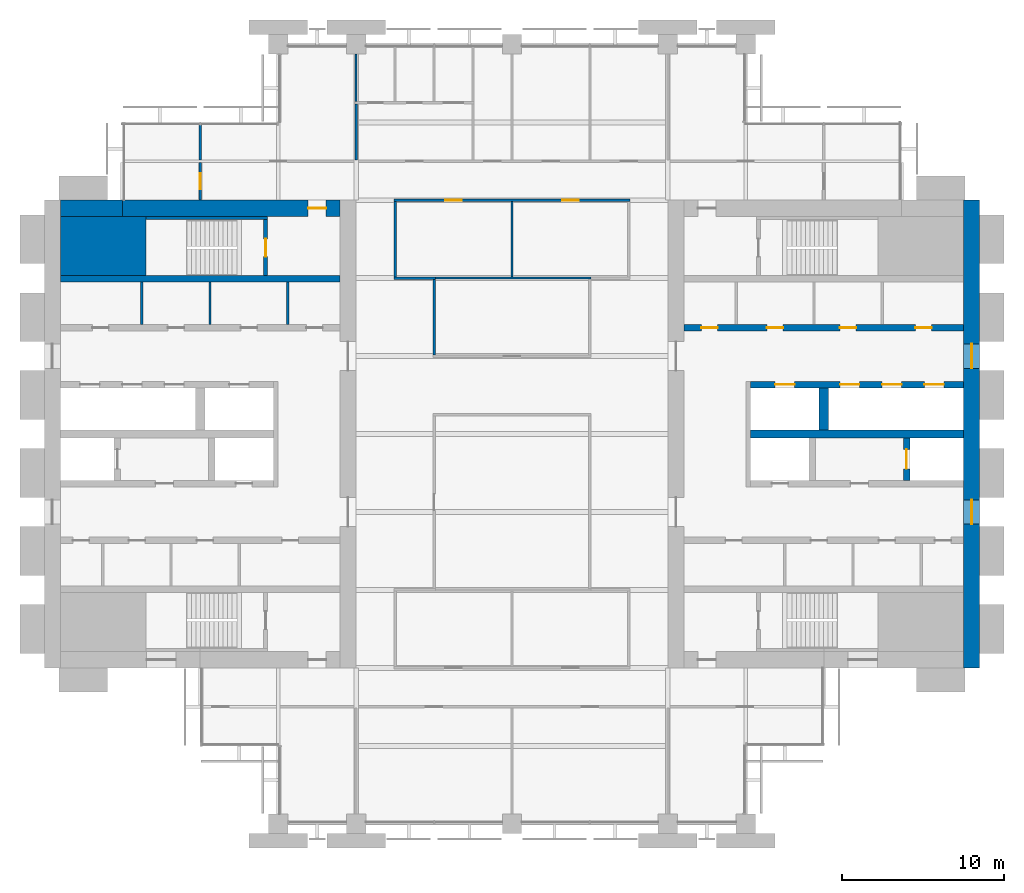
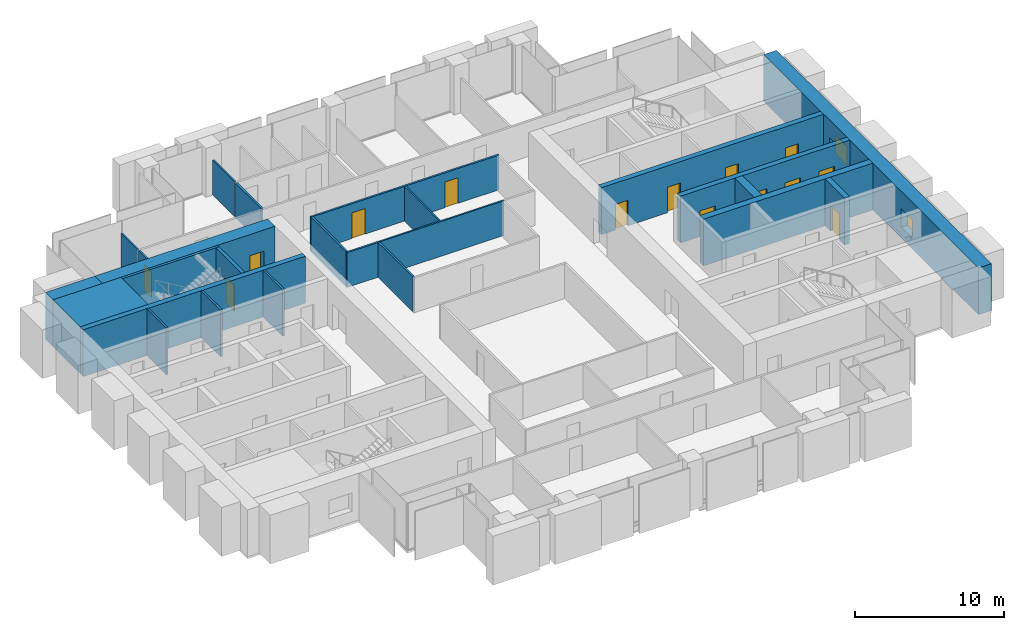
# One storey, part 11 of 14: 25 walls, 14 doors, 2 windows, 16 openings.
"""IFC4 building model written with IfcOpenShell, lengths in metres."""

from ifc_helpers import new_model, si_unit, direction, frame, frame_2d, origin, place, context, subcontext, project, spatial, rectangle, extrude, material, layer, layer_set, type_object, element, fill, save


model = new_model("IFC4")

# Units and contexts
model_context = context("Model", 3, precision=1e-05, world=origin(), true_north=direction((0.0, 1.0)))
body_context = subcontext(model_context, "Body", "Model", "MODEL_VIEW")
ifc_project = project(units=[si_unit("LENGTHUNIT", "METRE"), si_unit("AREAUNIT", "SQUARE_METRE"), si_unit("VOLUMEUNIT", "CUBIC_METRE"), si_unit("PLANEANGLEUNIT", "RADIAN"), si_unit("MASSUNIT", "GRAM", prefix="KILO")], contexts=[model_context])

# Site, building, storey
site_placement = place(None, origin())
site = spatial("IfcSite", under=ifc_project, at=site_placement, CompositionType="ELEMENT")
building_placement = place(site_placement, origin())
building = spatial("IfcBuilding", under=site, at=building_placement, Name="Baori Bourse Tower", CompositionType="ELEMENT")
storey_placement = place(building_placement, frame((0.0, 0.0, 136.10009765625)))
storey = spatial("IfcBuildingStorey", under=building, at=storey_placement, Name="L29", CompositionType="ELEMENT", Elevation=136.10009765625)

# Walls
ifc_material_1 = material(Name="Concrete f'c 60 MPa", Category="concrete")
wall_type_1 = type_object("IfcWallType", Name="Core corner block f'c 60", PredefinedType="SHEAR", material=ifc_material_1)
wall_1_placement = place(storey_placement, frame((1.0, 35.574951171875, 0.0), z_axis=(0.0, 0.0, 1.0), x_axis=(1.0, 0.0, 0.0)))
element("IfcWall", 1, at=wall_1_placement, inside=storey, type_object=wall_type_1, Name="Core wall W26", PredefinedType="SHEAR", context=body_context, shape_type="SweptSolid", body=[
    extrude(rectangle(XDim=5.25, YDim=3.64990234375, at=frame_2d((2.625, 0.0))), origin(), (0.0, 0.0, 1.0), 3.83984375),
])
ifc_material_2 = material(Name="Blockwork partition", Category="masonry")
ifc_layer_1 = layer(ifc_material_2, 0.14990234375)
ifc_layer_set_1 = layer_set([ifc_layer_1], Name="Core partition 150")
wall_type_2 = type_object("IfcWallType", Name="Core partition 150", PredefinedType="PARTITIONING", material=ifc_layer_set_1)
for number, where, z_axis, x_axis, name in (
    (2, (6.0, 30.75, 0.0), (0.0, 0.0, 1.0), (0.0, 1.0, 0.0), "Partition wall W22"),
    (3, (10.199951171875, 30.75, 0.0), (0.0, 0.0, 1.0), (0.0, 1.0, 0.0), "Partition wall W23"),
    (4, (15.0, 30.75, 0.0), (0.0, 0.0, 1.0), (0.0, 1.0, 0.0), "Partition wall W24"),
):
    element("IfcWall", number, at=place(storey_placement, frame(where, z_axis=z_axis, x_axis=x_axis)), inside=storey, type_object=wall_type_2, Name=name, PredefinedType="PARTITIONING", context=body_context, shape_type="SweptSolid", body=[
        extrude(rectangle(XDim=2.60009765625, YDim=0.14990234375, at=frame_2d((1.300048828125, 0.0))), origin(), (0.0, 0.0, 1.0), 3.83984375),
    ])
ifc_material_3 = material(Name="Concrete f'c 60 MPa", Category="concrete")
ifc_layer_2 = layer(ifc_material_3, 1.0)
ifc_layer_set_2 = layer_set([ifc_layer_2], Name="Core wall 1000 f'c 60")
wall_type_3 = type_object("IfcWallType", Name="Core wall 1000 f'c 60", PredefinedType="SHEAR", material=ifc_layer_set_2)
wall_2_placement = place(storey_placement, frame((1.0, 37.89990234375, 0.0), z_axis=(0.0, 0.0, 1.0), x_axis=(1.0, 0.0, 0.0)))
element("IfcWall", 5, at=wall_2_placement, inside=storey, type_object=wall_type_3, Name="Core wall W29", PredefinedType="SHEAR", context=body_context, shape_type="SweptSolid", body=[
    extrude(rectangle(XDim=3.800048828125, YDim=1.0, at=frame_2d((1.89990234375, 0.0))), origin(), (0.0, 0.0, 1.0), 3.83984375),
])

# Wall, opening, door
wall_3_placement = place(storey_placement, frame((4.800048828125, 37.89990234375, 0.0), z_axis=(0.0, 0.0, 1.0), x_axis=(1.0, 0.0, 0.0)))
wall_3 = element("IfcWall", 6, at=wall_3_placement, inside=storey, type_object=wall_type_3, Name="Core wall W30", PredefinedType="SHEAR", context=body_context, shape_type="SweptSolid", body=[
    extrude(rectangle(XDim=13.39990234375, YDim=1.0, at=frame_2d((6.699951171875, 0.0))), origin(), (0.0, 0.0, 1.0), 3.83984375),
])
opening_1_placement = place(wall_3_placement, frame((11.449951171875, 0.0, 0.0)))
opening_1 = element("IfcOpeningElement", 7, at=opening_1_placement, cuts=wall_3, Name="Opening L29-D104", PredefinedType="OPENING", context=body_context, shape_type="SweptSolid", body=[
    extrude(rectangle(XDim=1.10009765625, YDim=2.10009765625, at=frame_2d((0.550048828125, 1.050048828125))), frame((0.0, 0.510009765625, 0.0), z_axis=(0.0, -1.0, 0.0), x_axis=(1.0, 0.0, 0.0)), (0.0, 0.0, 1.0), 1.02001953125),
])
ifc_material_4 = material(Name="Painted steel door", Category="steel")
door_type_1 = type_object("IfcDoorType", Name="Stair door 1100", OperationType="SINGLE_SWING_LEFT", PredefinedType="DOOR", material=ifc_material_4)
door_1_placement = place(opening_1_placement, origin())
door_1 = element("IfcDoor", 8, at=door_1_placement, inside=storey, type_object=door_type_1, Name="Stair vestibule door B W L29", OperationType="SINGLE_SWING_LEFT", OverallHeight=2.10009765625, OverallWidth=1.10009765625, PredefinedType="DOOR", context=body_context, shape_type="SweptSolid", body=[
    extrude(rectangle(XDim=1.10009765625, YDim=2.10009765625, at=frame_2d((0.550048828125, 1.050048828125))), frame((0.0, 0.02490234375, 0.0), z_axis=(0.0, -1.0, 0.0), x_axis=(1.0, 0.0, 0.0)), (0.0, 0.0, 1.0), 0.050048828125),
])
fill(opening_1, door_1)

# Wall, openings, windows
wall_4_placement = place(storey_placement, frame((57.10009765625, 38.39990234375, 0.0), z_axis=(0.0, 0.0, 1.0), x_axis=(0.0, -1.0, 0.0)))
wall_4 = element("IfcWall", 9, at=wall_4_placement, inside=storey, type_object=wall_type_3, Name="Core wall E01", PredefinedType="SHEAR", context=body_context, shape_type="SweptSolid", body=[
    extrude(rectangle(XDim=28.7998046875, YDim=1.0, at=frame_2d((14.39990234375, 0.0))), origin(), (0.0, 0.0, 1.0), 3.83984375),
])
opening_2_placement = place(wall_4_placement, frame((18.449951171875, 0.0, 0.89990234375)))
opening_2 = element("IfcOpeningElement", 10, at=opening_2_placement, cuts=wall_4, Name="Opening L29-KW201", PredefinedType="OPENING", context=body_context, shape_type="SweptSolid", body=[
    extrude(rectangle(XDim=1.5, YDim=1.5, at=frame_2d((0.75, 0.75))), frame((0.0, 0.510009765625, 0.0), z_axis=(0.0, -1.0, 0.0), x_axis=(1.0, 0.0, 0.0)), (0.0, 0.0, 1.0), 1.02001953125),
])
opening_3_placement = place(wall_4_placement, frame((8.85009765625, 0.0, 0.89990234375)))
opening_3 = element("IfcOpeningElement", 11, at=opening_3_placement, cuts=wall_4, Name="Opening L29-KW202", PredefinedType="OPENING", context=body_context, shape_type="SweptSolid", body=[
    extrude(rectangle(XDim=1.5, YDim=1.5, at=frame_2d((0.75, 0.75))), frame((0.0, 0.510009765625, 0.0), z_axis=(0.0, -1.0, 0.0), x_axis=(1.0, 0.0, 0.0)), (0.0, 0.0, 1.0), 1.02001953125),
])
ifc_material_5 = material(Name="Pale anodised aluminium", Category="aluminium")
window_type = type_object("IfcWindowType", Name="Lobby window 1500 x 1500", PartitioningType="SINGLE_PANEL", PredefinedType="WINDOW", material=ifc_material_5)
window_1_placement = place(opening_2_placement, origin())
window_1 = element("IfcWindow", 12, at=window_1_placement, inside=storey, type_object=window_type, Name="Outer wall window E L29 1", OverallHeight=1.5, OverallWidth=1.5, PartitioningType="SINGLE_PANEL", PredefinedType="WINDOW", context=body_context, shape_type="SweptSolid", body=[
    extrude(rectangle(XDim=1.5, YDim=1.5, at=frame_2d((0.75, 0.75))), frame((0.0, 0.030029296875, 0.0), z_axis=(0.0, -1.0, 0.0), x_axis=(1.0, 0.0, 0.0)), (0.0, 0.0, 1.0), 0.06005859375),
])
fill(opening_2, window_1)
window_2_placement = place(opening_3_placement, origin())
window_2 = element("IfcWindow", 13, at=window_2_placement, inside=storey, type_object=window_type, Name="Outer wall window E L29 2", OverallHeight=1.5, OverallWidth=1.5, PartitioningType="SINGLE_PANEL", PredefinedType="WINDOW", context=body_context, shape_type="SweptSolid", body=[
    extrude(rectangle(XDim=1.5, YDim=1.5, at=frame_2d((0.75, 0.75))), frame((0.0, 0.030029296875, 0.0), z_axis=(0.0, -1.0, 0.0), x_axis=(1.0, 0.0, 0.0)), (0.0, 0.0, 1.0), 0.06005859375),
])
fill(opening_3, window_2)

# Wall
ifc_material_6 = material(Name="Gypsum board partition")
ifc_layer_3 = layer(ifc_material_6, 0.14990234375)
ifc_layer_set_3 = layer_set([ifc_layer_3], Name="Corridor partition 150")
wall_type_4 = type_object("IfcWallType", Name="Corridor partition 150", PredefinedType="PARTITIONING", material=ifc_layer_set_3)
wall_5_placement = place(storey_placement, frame((21.52490234375, 33.60009765625, 0.0), z_axis=(0.0, 0.0, 1.0), x_axis=(1.0, 0.0, 0.0)))
element("IfcWall", 14, at=wall_5_placement, inside=storey, type_object=wall_type_4, Name="Partition", PredefinedType="PARTITIONING", context=body_context, shape_type="SweptSolid", body=[
    extrude(rectangle(XDim=2.550048828125, YDim=0.14990234375, at=frame_2d((1.27490234375, 0.0))), origin(), (0.0, 0.0, 1.0), 2.849365234375),
])

# Wall, openings, doors
wall_6_placement = place(storey_placement, frame((21.52490234375, 38.39990234375, 0.0), z_axis=(0.0, 0.0, 1.0), x_axis=(1.0, 0.0, 0.0)))
wall_6 = element("IfcWall", 15, at=wall_6_placement, inside=storey, type_object=wall_type_4, Name="Partition", PredefinedType="PARTITIONING", context=body_context, shape_type="SweptSolid", body=[
    extrude(rectangle(XDim=14.550048828125, YDim=0.14990234375, at=frame_2d((7.27490234375, 0.0))), origin(), (0.0, 0.0, 1.0), 2.849365234375),
])
opening_4_placement = place(wall_6_placement, frame((3.175048828125, 0.0, 0.0)))
opening_4 = element("IfcOpeningElement", 16, at=opening_4_placement, cuts=wall_6, Name="Opening L29-D08", PredefinedType="OPENING", context=body_context, shape_type="SweptSolid", body=[
    extrude(rectangle(XDim=1.0, YDim=2.10009765625, at=frame_2d((0.5, 1.050048828125))), frame((0.0, 0.0849609375, 0.0), z_axis=(0.0, -1.0, 0.0), x_axis=(1.0, 0.0, 0.0)), (0.0, 0.0, 1.0), 0.169921875),
])
opening_5_placement = place(wall_6_placement, frame((10.375, 0.0, 0.0)))
opening_5 = element("IfcOpeningElement", 17, at=opening_5_placement, cuts=wall_6, Name="Opening L29-D09", PredefinedType="OPENING", context=body_context, shape_type="SweptSolid", body=[
    extrude(rectangle(XDim=1.0, YDim=2.10009765625, at=frame_2d((0.5, 1.050048828125))), frame((0.0, 0.0849609375, 0.0), z_axis=(0.0, -1.0, 0.0), x_axis=(1.0, 0.0, 0.0)), (0.0, 0.0, 1.0), 0.169921875),
])
ifc_material_7 = material(Name="Timber door leaf", Category="wood")
door_type_2 = type_object("IfcDoorType", Name="Door 1000 x 2100", OperationType="SINGLE_SWING_LEFT", PredefinedType="DOOR", material=ifc_material_7)
door_2_placement = place(opening_4_placement, origin())
door_2 = element("IfcDoor", 18, at=door_2_placement, inside=storey, type_object=door_type_2, Name="Door", OperationType="SINGLE_SWING_LEFT", OverallHeight=2.10009765625, OverallWidth=1.0, PredefinedType="DOOR", context=body_context, shape_type="SweptSolid", body=[
    extrude(rectangle(XDim=1.0, YDim=2.10009765625, at=frame_2d((0.5, 1.050048828125))), frame((0.0, 0.02490234375, 0.0), z_axis=(0.0, -1.0, 0.0), x_axis=(1.0, 0.0, 0.0)), (0.0, 0.0, 1.0), 0.050048828125),
])
fill(opening_4, door_2)
door_3_placement = place(opening_5_placement, origin())
door_3 = element("IfcDoor", 19, at=door_3_placement, inside=storey, type_object=door_type_2, Name="Door", OperationType="SINGLE_SWING_RIGHT", OverallHeight=2.10009765625, OverallWidth=1.0, PredefinedType="DOOR", context=body_context, shape_type="SweptSolid", body=[
    extrude(rectangle(XDim=1.0, YDim=2.10009765625, at=frame_2d((0.5, 1.050048828125))), frame((0.0, 0.02490234375, 0.0), z_axis=(0.0, -1.0, 0.0), x_axis=(1.0, 0.0, 0.0)), (0.0, 0.0, 1.0), 0.050048828125),
])
fill(opening_5, door_3)

# Wall, opening, door
wall_7_placement = place(storey_placement, frame((9.60009765625, 38.39990234375, 0.0), z_axis=(0.0, 0.0, 1.0), x_axis=(0.0, 1.0, 0.0)))
wall_7 = element("IfcWall", 20, at=wall_7_placement, inside=storey, type_object=wall_type_4, Name="Partition", PredefinedType="PARTITIONING", context=body_context, shape_type="SweptSolid", body=[
    extrude(rectangle(XDim=2.3251953125, YDim=0.14990234375, at=frame_2d((1.16259765625, 0.0))), origin(), (0.0, 0.0, 1.0), 2.849365234375),
])
opening_6_placement = place(wall_7_placement, frame((0.66259765625, 0.0, 0.0)))
opening_6 = element("IfcOpeningElement", 21, at=opening_6_placement, cuts=wall_7, Name="Opening L29-D19", PredefinedType="OPENING", context=body_context, shape_type="SweptSolid", body=[
    extrude(rectangle(XDim=1.0, YDim=2.10009765625, at=frame_2d((0.5, 1.050048828125))), frame((0.0, 0.0849609375, 0.0), z_axis=(0.0, -1.0, 0.0), x_axis=(1.0, 0.0, 0.0)), (0.0, 0.0, 1.0), 0.169921875),
])
door_4_placement = place(opening_6_placement, origin())
door_4 = element("IfcDoor", 22, at=door_4_placement, inside=storey, type_object=door_type_2, Name="Door", OperationType="SINGLE_SWING_RIGHT", OverallHeight=2.10009765625, OverallWidth=1.0, PredefinedType="DOOR", context=body_context, shape_type="SweptSolid", body=[
    extrude(rectangle(XDim=1.0, YDim=2.10009765625, at=frame_2d((0.5, 1.050048828125))), frame((0.0, 0.02490234375, 0.0), z_axis=(0.0, -1.0, 0.0), x_axis=(1.0, 0.0, 0.0)), (0.0, 0.0, 1.0), 0.050048828125),
])
fill(opening_6, door_4)

# Walls
wall_8_placement = place(storey_placement, frame((19.199951171875, 40.875, 0.0), z_axis=(0.0, 0.0, 1.0), x_axis=(0.0, 1.0, 0.0)))
element("IfcWall", 23, at=wall_8_placement, inside=storey, type_object=wall_type_4, Name="Partition", PredefinedType="PARTITIONING", context=body_context, shape_type="SweptSolid", body=[
    extrude(rectangle(XDim=3.449951171875, YDim=0.14990234375, at=frame_2d((1.72509765625, 0.0))), origin(), (0.0, 0.0, 1.0), 2.849365234375),
])
for number, where, z_axis, x_axis, name in (
    (24, (21.60009765625, 33.675048828125, 0.0), (0.0, 0.0, 1.0), (0.0, 1.0, 0.0), "Partition"),
    (25, (24.0, 28.875, 0.0), (0.0, 0.0, 1.0), (0.0, 1.0, 0.0), "Partition"),
):
    element("IfcWall", number, at=place(storey_placement, frame(where, z_axis=z_axis, x_axis=x_axis)), inside=storey, type_object=wall_type_4, Name=name, PredefinedType="PARTITIONING", context=body_context, shape_type="SweptSolid", body=[
        extrude(rectangle(XDim=4.64990234375, YDim=0.14990234375, at=frame_2d((2.324951171875, 0.0))), origin(), (0.0, 0.0, 1.0), 2.849365234375),
    ])
ifc_material_8 = material(Name="Gypsum board partition")
ifc_layer_4 = layer(ifc_material_8, 0.125)
ifc_layer_set_4 = layer_set([ifc_layer_4], Name="Partition 125")
wall_type_5 = type_object("IfcWallType", Name="Partition 125", PredefinedType="PARTITIONING", material=ifc_layer_set_4)
wall_9_placement = place(storey_placement, frame((24.074951171875, 33.60009765625, 0.0), z_axis=(0.0, 0.0, 1.0), x_axis=(1.0, 0.0, 0.0)))
element("IfcWall", 26, at=wall_9_placement, inside=storey, type_object=wall_type_5, Name="Partition", PredefinedType="PARTITIONING", context=body_context, shape_type="SweptSolid", body=[
    extrude(rectangle(XDim=9.60009765625, YDim=0.125, at=frame_2d((4.800048828125, 0.0))), origin(), (0.0, 0.0, 1.0), 2.849365234375),
])
wall_10_placement = place(storey_placement, frame((9.60009765625, 40.875, 0.0), z_axis=(0.0, 0.0, 1.0), x_axis=(0.0, 1.0, 0.0)))
element("IfcWall", 27, at=wall_10_placement, inside=storey, type_object=wall_type_5, Name="Partition", PredefinedType="PARTITIONING", context=body_context, shape_type="SweptSolid", body=[
    extrude(rectangle(XDim=2.22509765625, YDim=0.125, at=frame_2d((1.112548828125, 0.0))), origin(), (0.0, 0.0, 1.0), 2.849365234375),
])
wall_11_placement = place(storey_placement, frame((19.199951171875, 44.47509765625, 0.0), z_axis=(0.0, 0.0, 1.0), x_axis=(0.0, 1.0, 0.0)))
element("IfcWall", 28, at=wall_11_placement, inside=storey, type_object=wall_type_5, Name="Partition", PredefinedType="PARTITIONING", context=body_context, shape_type="SweptSolid", body=[
    extrude(rectangle(XDim=2.9248046875, YDim=0.125, at=frame_2d((1.46240234375, 0.0))), origin(), (0.0, 0.0, 1.0), 2.849365234375),
])
wall_12_placement = place(storey_placement, frame((28.800048828125, 33.66259765625, 0.0), z_axis=(0.0, 0.0, 1.0), x_axis=(0.0, 1.0, 0.0)))
element("IfcWall", 29, at=wall_12_placement, inside=storey, type_object=wall_type_5, Name="Partition", PredefinedType="PARTITIONING", context=body_context, shape_type="SweptSolid", body=[
    extrude(rectangle(XDim=4.662353515625, YDim=0.125, at=frame_2d((2.3310546875, 0.0))), origin(), (0.0, 0.0, 1.0), 2.849365234375),
])
ifc_material_9 = material(Name="Concrete f'c 60 MPa", Category="concrete")
ifc_layer_5 = layer(ifc_material_9, 0.199951171875)
ifc_layer_set_5 = layer_set([ifc_layer_5], Name="Shaft wall 200 f'c 60")
wall_type_6 = type_object("IfcWallType", Name="Shaft wall 200 f'c 60", PredefinedType="SHEAR", material=ifc_layer_set_5)
wall_13_placement = place(storey_placement, frame((6.25, 37.300048828125, 0.0), z_axis=(0.0, 0.0, 1.0), x_axis=(1.0, 0.0, 0.0)))
element("IfcWall", 30, at=wall_13_placement, inside=storey, type_object=wall_type_6, Name="Core wall W28", PredefinedType="SHEAR", context=body_context, shape_type="SweptSolid", body=[
    extrude(rectangle(XDim=7.5, YDim=0.199951171875, at=frame_2d((3.75, 0.0))), origin(), (0.0, 0.0, 1.0), 3.83984375),
])

# Wall, opening, door
ifc_material_10 = material(Name="Concrete f'c 60 MPa", Category="concrete")
ifc_layer_6 = layer(ifc_material_10, 0.25)
ifc_layer_set_6 = layer_set([ifc_layer_6], Name="Shaft wall 250 f'c 60")
wall_type_7 = type_object("IfcWallType", Name="Shaft wall 250 f'c 60", PredefinedType="SHEAR", material=ifc_layer_set_6)
wall_14_placement = place(storey_placement, frame((13.625, 33.75, 0.0), z_axis=(0.0, 0.0, 1.0), x_axis=(0.0, 1.0, 0.0)))
wall_14 = element("IfcWall", 31, at=wall_14_placement, inside=storey, type_object=wall_type_7, Name="Core wall W27", PredefinedType="SHEAR", context=body_context, shape_type="SweptSolid", body=[
    extrude(rectangle(XDim=3.449951171875, YDim=0.25, at=frame_2d((1.72509765625, 0.0))), origin(), (0.0, 0.0, 1.0), 3.83984375),
])
opening_7_placement = place(wall_14_placement, frame((1.175048828125, 0.0, 0.0)))
opening_7 = element("IfcOpeningElement", 32, at=opening_7_placement, cuts=wall_14, Name="Opening L29-D103", PredefinedType="OPENING", context=body_context, shape_type="SweptSolid", body=[
    extrude(rectangle(XDim=1.10009765625, YDim=2.10009765625, at=frame_2d((0.550048828125, 1.050048828125))), frame((0.0, 0.135009765625, 0.0), z_axis=(0.0, -1.0, 0.0), x_axis=(1.0, 0.0, 0.0)), (0.0, 0.0, 1.0), 0.27001953125),
])
door_5_placement = place(opening_7_placement, origin())
door_5 = element("IfcDoor", 33, at=door_5_placement, inside=storey, type_object=door_type_1, Name="Stair door B W L29", OperationType="SINGLE_SWING_LEFT", OverallHeight=2.10009765625, OverallWidth=1.10009765625, PredefinedType="DOOR", context=body_context, shape_type="SweptSolid", body=[
    extrude(rectangle(XDim=1.10009765625, YDim=2.10009765625, at=frame_2d((0.550048828125, 1.050048828125))), frame((0.0, 0.02490234375, 0.0), z_axis=(0.0, -1.0, 0.0), x_axis=(1.0, 0.0, 0.0)), (0.0, 0.0, 1.0), 0.050048828125),
])
fill(opening_7, door_5)

# Wall
ifc_material_11 = material(Name="Concrete f'c 60 MPa", Category="concrete")
ifc_layer_7 = layer(ifc_material_11, 0.39990234375)
ifc_layer_set_7 = layer_set([ifc_layer_7], Name="Shaft wall 400 f'c 60")
wall_type_8 = type_object("IfcWallType", Name="Shaft wall 400 f'c 60", PredefinedType="SHEAR", material=ifc_layer_set_7)
wall_15_placement = place(storey_placement, frame((1.0, 33.550048828125, 0.0), z_axis=(0.0, 0.0, 1.0), x_axis=(1.0, 0.0, 0.0)))
element("IfcWall", 34, at=wall_15_placement, inside=storey, type_object=wall_type_8, Name="Core wall W25", PredefinedType="SHEAR", context=body_context, shape_type="SweptSolid", body=[
    extrude(rectangle(XDim=17.199951171875, YDim=0.39990234375, at=frame_2d((8.60009765625, 0.0))), origin(), (0.0, 0.0, 1.0), 3.83984375),
])

# Wall, opening, door
wall_16_placement = place(storey_placement, frame((53.10009765625, 21.14990234375, 0.0), z_axis=(0.0, 0.0, 1.0), x_axis=(0.0, 1.0, 0.0)))
wall_16 = element("IfcWall", 35, at=wall_16_placement, inside=storey, type_object=wall_type_8, Name="Core wall E16", PredefinedType="SHEAR", context=body_context, shape_type="SweptSolid", body=[
    extrude(rectangle(XDim=2.60009765625, YDim=0.39990234375, at=frame_2d((1.300048828125, 0.0))), origin(), (0.0, 0.0, 1.0), 3.83984375),
])
opening_8_placement = place(wall_16_placement, frame((0.699951171875, 0.0, 0.0)))
opening_8 = element("IfcOpeningElement", 36, at=opening_8_placement, cuts=wall_16, Name="Opening L29-D221", PredefinedType="OPENING", context=body_context, shape_type="SweptSolid", body=[
    extrude(rectangle(XDim=1.199951171875, YDim=2.10009765625, at=frame_2d((0.60009765625, 1.050048828125))), frame((0.0, 0.2099609375, 0.0), z_axis=(0.0, -1.0, 0.0), x_axis=(1.0, 0.0, 0.0)), (0.0, 0.0, 1.0), 0.419921875),
])
ifc_material_12 = material(Name="Stainless steel door", Category="steel")
door_type_3 = type_object("IfcDoorType", Name="Lift landing door", OperationType="DOUBLE_DOOR_SLIDING", PredefinedType="DOOR", material=ifc_material_12)
door_6_placement = place(opening_8_placement, origin())
door_6 = element("IfcDoor", 37, at=door_6_placement, inside=storey, type_object=door_type_3, Name="Lift landing door FF2 E L29", OperationType="DOUBLE_DOOR_SLIDING", OverallHeight=2.10009765625, OverallWidth=1.199951171875, PredefinedType="DOOR", context=body_context, shape_type="SweptSolid", body=[
    extrude(rectangle(XDim=1.199951171875, YDim=2.10009765625, at=frame_2d((0.60009765625, 1.050048828125))), frame((0.0, 0.02490234375, 0.0), z_axis=(0.0, -1.0, 0.0), x_axis=(1.0, 0.0, 0.0)), (0.0, 0.0, 1.0), 0.050048828125),
])
fill(opening_8, door_6)

# Wall, openings, doors
wall_17_placement = place(storey_placement, frame((43.5, 27.050048828125, 0.0), z_axis=(0.0, 0.0, 1.0), x_axis=(1.0, 0.0, 0.0)))
wall_17 = element("IfcWall", 38, at=wall_17_placement, inside=storey, type_object=wall_type_8, Name="Core wall E20", PredefinedType="SHEAR", context=body_context, shape_type="SweptSolid", body=[
    extrude(rectangle(XDim=13.10009765625, YDim=0.39990234375, at=frame_2d((6.550048828125, 0.0))), origin(), (0.0, 0.0, 1.0), 3.83984375),
])
opening_9_placement = place(wall_17_placement, frame((10.699951171875, 0.0, 0.0)))
opening_9 = element("IfcOpeningElement", 39, at=opening_9_placement, cuts=wall_17, Name="Opening L29-D217", PredefinedType="OPENING", context=body_context, shape_type="SweptSolid", body=[
    extrude(rectangle(XDim=1.199951171875, YDim=2.10009765625, at=frame_2d((0.60009765625, 1.050048828125))), frame((0.0, 0.2099609375, 0.0), z_axis=(0.0, -1.0, 0.0), x_axis=(1.0, 0.0, 0.0)), (0.0, 0.0, 1.0), 0.419921875),
])
opening_10_placement = place(wall_17_placement, frame((8.10009765625, 0.0, 0.0)))
opening_10 = element("IfcOpeningElement", 40, at=opening_10_placement, cuts=wall_17, Name="Opening L29-D218", PredefinedType="OPENING", context=body_context, shape_type="SweptSolid", body=[
    extrude(rectangle(XDim=1.199951171875, YDim=2.10009765625, at=frame_2d((0.60009765625, 1.050048828125))), frame((0.0, 0.2099609375, 0.0), z_axis=(0.0, -1.0, 0.0), x_axis=(1.0, 0.0, 0.0)), (0.0, 0.0, 1.0), 0.419921875),
])
opening_11_placement = place(wall_17_placement, frame((5.5, 0.0, 0.0)))
opening_11 = element("IfcOpeningElement", 41, at=opening_11_placement, cuts=wall_17, Name="Opening L29-D219", PredefinedType="OPENING", context=body_context, shape_type="SweptSolid", body=[
    extrude(rectangle(XDim=1.199951171875, YDim=2.10009765625, at=frame_2d((0.60009765625, 1.050048828125))), frame((0.0, 0.2099609375, 0.0), z_axis=(0.0, -1.0, 0.0), x_axis=(1.0, 0.0, 0.0)), (0.0, 0.0, 1.0), 0.419921875),
])
opening_12_placement = place(wall_17_placement, frame((1.5, 0.0, 0.0)))
opening_12 = element("IfcOpeningElement", 42, at=opening_12_placement, cuts=wall_17, Name="Opening L29-D220", PredefinedType="OPENING", context=body_context, shape_type="SweptSolid", body=[
    extrude(rectangle(XDim=1.199951171875, YDim=2.10009765625, at=frame_2d((0.60009765625, 1.050048828125))), frame((0.0, 0.2099609375, 0.0), z_axis=(0.0, -1.0, 0.0), x_axis=(1.0, 0.0, 0.0)), (0.0, 0.0, 1.0), 0.419921875),
])
door_7_placement = place(opening_9_placement, origin())
door_7 = element("IfcDoor", 43, at=door_7_placement, inside=storey, type_object=door_type_3, Name="Lift landing door SH1 E L29", OperationType="DOUBLE_DOOR_SLIDING", OverallHeight=2.10009765625, OverallWidth=1.199951171875, PredefinedType="DOOR", context=body_context, shape_type="SweptSolid", body=[
    extrude(rectangle(XDim=1.199951171875, YDim=2.10009765625, at=frame_2d((0.60009765625, 1.050048828125))), frame((0.0, 0.02490234375, 0.0), z_axis=(0.0, -1.0, 0.0), x_axis=(1.0, 0.0, 0.0)), (0.0, 0.0, 1.0), 0.050048828125),
])
fill(opening_9, door_7)
door_8_placement = place(opening_10_placement, origin())
door_8 = element("IfcDoor", 44, at=door_8_placement, inside=storey, type_object=door_type_3, Name="Lift landing door SH2 E L29", OperationType="DOUBLE_DOOR_SLIDING", OverallHeight=2.10009765625, OverallWidth=1.199951171875, PredefinedType="DOOR", context=body_context, shape_type="SweptSolid", body=[
    extrude(rectangle(XDim=1.199951171875, YDim=2.10009765625, at=frame_2d((0.60009765625, 1.050048828125))), frame((0.0, 0.02490234375, 0.0), z_axis=(0.0, -1.0, 0.0), x_axis=(1.0, 0.0, 0.0)), (0.0, 0.0, 1.0), 0.050048828125),
])
fill(opening_10, door_8)
door_9_placement = place(opening_11_placement, origin())
door_9 = element("IfcDoor", 45, at=door_9_placement, inside=storey, type_object=door_type_3, Name="Lift landing door SH3 E L29", OperationType="DOUBLE_DOOR_SLIDING", OverallHeight=2.10009765625, OverallWidth=1.199951171875, PredefinedType="DOOR", context=body_context, shape_type="SweptSolid", body=[
    extrude(rectangle(XDim=1.199951171875, YDim=2.10009765625, at=frame_2d((0.60009765625, 1.050048828125))), frame((0.0, 0.02490234375, 0.0), z_axis=(0.0, -1.0, 0.0), x_axis=(1.0, 0.0, 0.0)), (0.0, 0.0, 1.0), 0.050048828125),
])
fill(opening_11, door_9)
door_10_placement = place(opening_12_placement, origin())
door_10 = element("IfcDoor", 46, at=door_10_placement, inside=storey, type_object=door_type_3, Name="Lift landing door SV1 E L29", OperationType="DOUBLE_DOOR_SLIDING", OverallHeight=2.10009765625, OverallWidth=1.199951171875, PredefinedType="DOOR", context=body_context, shape_type="SweptSolid", body=[
    extrude(rectangle(XDim=1.199951171875, YDim=2.10009765625, at=frame_2d((0.60009765625, 1.050048828125))), frame((0.0, 0.02490234375, 0.0), z_axis=(0.0, -1.0, 0.0), x_axis=(1.0, 0.0, 0.0)), (0.0, 0.0, 1.0), 0.050048828125),
])
fill(opening_12, door_10)

wall_18_placement = place(storey_placement, frame((39.39990234375, 30.550048828125, 0.0), z_axis=(0.0, 0.0, 1.0), x_axis=(1.0, 0.0, 0.0)))
wall_18 = element("IfcWall", 47, at=wall_18_placement, inside=storey, type_object=wall_type_8, Name="Core wall E21", PredefinedType="SHEAR", context=body_context, shape_type="SweptSolid", body=[
    extrude(rectangle(XDim=17.2001953125, YDim=0.39990234375, at=frame_2d((8.60009765625, 0.0))), origin(), (0.0, 0.0, 1.0), 3.83984375),
])
opening_13_placement = place(wall_18_placement, frame((14.237548828125, 0.0, 0.0)))
opening_13 = element("IfcOpeningElement", 48, at=opening_13_placement, cuts=wall_18, Name="Opening L29-D209", PredefinedType="OPENING", context=body_context, shape_type="SweptSolid", body=[
    extrude(rectangle(XDim=1.0, YDim=2.10009765625, at=frame_2d((0.5, 1.050048828125))), frame((0.0, 0.2099609375, 0.0), z_axis=(0.0, -1.0, 0.0), x_axis=(1.0, 0.0, 0.0)), (0.0, 0.0, 1.0), 0.419921875),
])
opening_14_placement = place(wall_18_placement, frame((9.60009765625, 0.0, 0.0)))
opening_14 = element("IfcOpeningElement", 49, at=opening_14_placement, cuts=wall_18, Name="Opening L29-D210", PredefinedType="OPENING", context=body_context, shape_type="SweptSolid", body=[
    extrude(rectangle(XDim=1.0, YDim=2.10009765625, at=frame_2d((0.5, 1.050048828125))), frame((0.0, 0.2099609375, 0.0), z_axis=(0.0, -1.0, 0.0), x_axis=(1.0, 0.0, 0.0)), (0.0, 0.0, 1.0), 0.419921875),
])
opening_15_placement = place(wall_18_placement, frame((5.10009765625, 0.0, 0.0)))
opening_15 = element("IfcOpeningElement", 50, at=opening_15_placement, cuts=wall_18, Name="Opening L29-D211", PredefinedType="OPENING", context=body_context, shape_type="SweptSolid", body=[
    extrude(rectangle(XDim=1.0, YDim=2.10009765625, at=frame_2d((0.5, 1.050048828125))), frame((0.0, 0.2099609375, 0.0), z_axis=(0.0, -1.0, 0.0), x_axis=(1.0, 0.0, 0.0)), (0.0, 0.0, 1.0), 0.419921875),
])
opening_16_placement = place(wall_18_placement, frame((1.0625, 0.0, 0.0)))
opening_16 = element("IfcOpeningElement", 51, at=opening_16_placement, cuts=wall_18, Name="Opening L29-D212", PredefinedType="OPENING", context=body_context, shape_type="SweptSolid", body=[
    extrude(rectangle(XDim=1.0, YDim=2.10009765625, at=frame_2d((0.5, 1.050048828125))), frame((0.0, 0.2099609375, 0.0), z_axis=(0.0, -1.0, 0.0), x_axis=(1.0, 0.0, 0.0)), (0.0, 0.0, 1.0), 0.419921875),
])
ifc_material_13 = material(Name="Painted steel door", Category="steel")
door_type_4 = type_object("IfcDoorType", Name="Core door 1000", OperationType="SINGLE_SWING_LEFT", PredefinedType="DOOR", material=ifc_material_13)
door_11_placement = place(opening_13_placement, origin())
door_11 = element("IfcDoor", 52, at=door_11_placement, inside=storey, type_object=door_type_4, Name="Men'S Wc door E L29", OperationType="SINGLE_SWING_LEFT", OverallHeight=2.10009765625, OverallWidth=1.0, PredefinedType="DOOR", context=body_context, shape_type="SweptSolid", body=[
    extrude(rectangle(XDim=1.0, YDim=2.10009765625, at=frame_2d((0.5, 1.050048828125))), frame((0.0, 0.02490234375, 0.0), z_axis=(0.0, -1.0, 0.0), x_axis=(1.0, 0.0, 0.0)), (0.0, 0.0, 1.0), 0.050048828125),
])
fill(opening_13, door_11)
door_12_placement = place(opening_14_placement, origin())
door_12 = element("IfcDoor", 53, at=door_12_placement, inside=storey, type_object=door_type_4, Name="Accessible Wc door E L29", OperationType="SINGLE_SWING_LEFT", OverallHeight=2.10009765625, OverallWidth=1.0, PredefinedType="DOOR", context=body_context, shape_type="SweptSolid", body=[
    extrude(rectangle(XDim=1.0, YDim=2.10009765625, at=frame_2d((0.5, 1.050048828125))), frame((0.0, 0.02490234375, 0.0), z_axis=(0.0, -1.0, 0.0), x_axis=(1.0, 0.0, 0.0)), (0.0, 0.0, 1.0), 0.050048828125),
])
fill(opening_14, door_12)
door_13_placement = place(opening_15_placement, origin())
door_13 = element("IfcDoor", 54, at=door_13_placement, inside=storey, type_object=door_type_4, Name="Women'S Wc door E L29", OperationType="SINGLE_SWING_LEFT", OverallHeight=2.10009765625, OverallWidth=1.0, PredefinedType="DOOR", context=body_context, shape_type="SweptSolid", body=[
    extrude(rectangle(XDim=1.0, YDim=2.10009765625, at=frame_2d((0.5, 1.050048828125))), frame((0.0, 0.02490234375, 0.0), z_axis=(0.0, -1.0, 0.0), x_axis=(1.0, 0.0, 0.0)), (0.0, 0.0, 1.0), 0.050048828125),
])
fill(opening_15, door_13)
ifc_material_14 = material(Name="Painted steel door", Category="steel")
door_type_5 = type_object("IfcDoorType", Name="Plant room door 1000", OperationType="SINGLE_SWING_LEFT", PredefinedType="DOOR", material=ifc_material_14)
door_14_placement = place(opening_16_placement, origin())
door_14 = element("IfcDoor", 55, at=door_14_placement, inside=storey, type_object=door_type_5, Name="Plumbing Equipment Room door E L29", OperationType="SINGLE_SWING_LEFT", OverallHeight=2.10009765625, OverallWidth=1.0, PredefinedType="DOOR", context=body_context, shape_type="SweptSolid", body=[
    extrude(rectangle(XDim=1.0, YDim=2.10009765625, at=frame_2d((0.5, 1.050048828125))), frame((0.0, 0.02490234375, 0.0), z_axis=(0.0, -1.0, 0.0), x_axis=(1.0, 0.0, 0.0)), (0.0, 0.0, 1.0), 0.050048828125),
])
fill(opening_16, door_14)

# Walls
ifc_material_15 = material(Name="Concrete f'c 60 MPa", Category="concrete")
ifc_layer_8 = layer(ifc_material_15, 0.5)
ifc_layer_set_8 = layer_set([ifc_layer_8], Name="Shaft wall 500 f'c 60")
wall_type_9 = type_object("IfcWallType", Name="Shaft wall 500 f'c 60", PredefinedType="SHEAR", material=ifc_layer_set_8)
wall_19_placement = place(storey_placement, frame((43.5, 24.0, 0.0), z_axis=(0.0, 0.0, 1.0), x_axis=(1.0, 0.0, 0.0)))
element("IfcWall", 56, at=wall_19_placement, inside=storey, type_object=wall_type_9, Name="Core wall E18", PredefinedType="SHEAR", context=body_context, shape_type="SweptSolid", body=[
    extrude(rectangle(XDim=13.10009765625, YDim=0.5, at=frame_2d((6.550048828125, 0.0))), origin(), (0.0, 0.0, 1.0), 3.83984375),
])
ifc_material_16 = material(Name="Concrete f'c 60 MPa", Category="concrete")
ifc_layer_9 = layer(ifc_material_16, 0.60009765625)
ifc_layer_set_9 = layer_set([ifc_layer_9], Name="Shaft wall 600 f'c 60")
wall_type_10 = type_object("IfcWallType", Name="Shaft wall 600 f'c 60", PredefinedType="SHEAR", material=ifc_layer_set_9)
wall_20_placement = place(storey_placement, frame((48.0, 24.25, 0.0), z_axis=(0.0, 0.0, 1.0), x_axis=(0.0, 1.0, 0.0)))
element("IfcWall", 57, at=wall_20_placement, inside=storey, type_object=wall_type_10, Name="Core wall E19", PredefinedType="SHEAR", context=body_context, shape_type="SweptSolid", body=[
    extrude(rectangle(XDim=2.60009765625, YDim=0.60009765625, at=frame_2d((1.300048828125, 0.0))), origin(), (0.0, 0.0, 1.0), 3.83984375),
])

save(model, "model.ifc")
